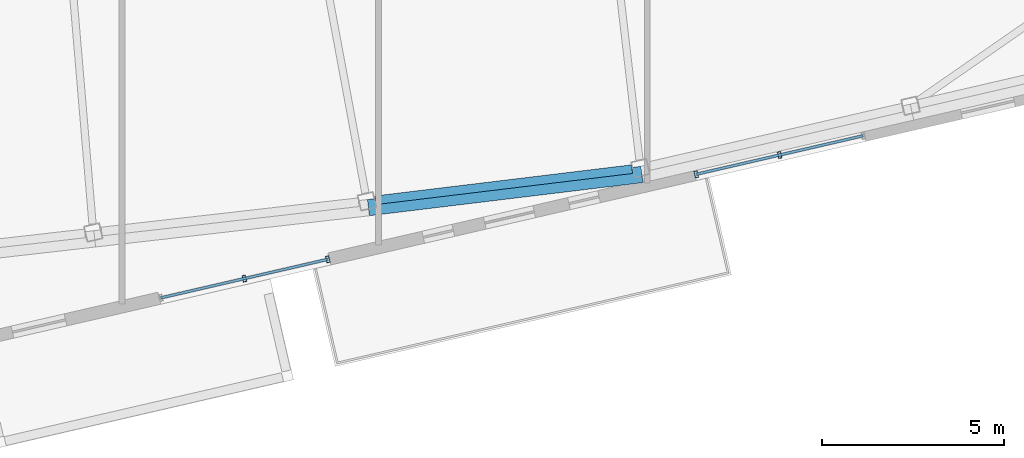
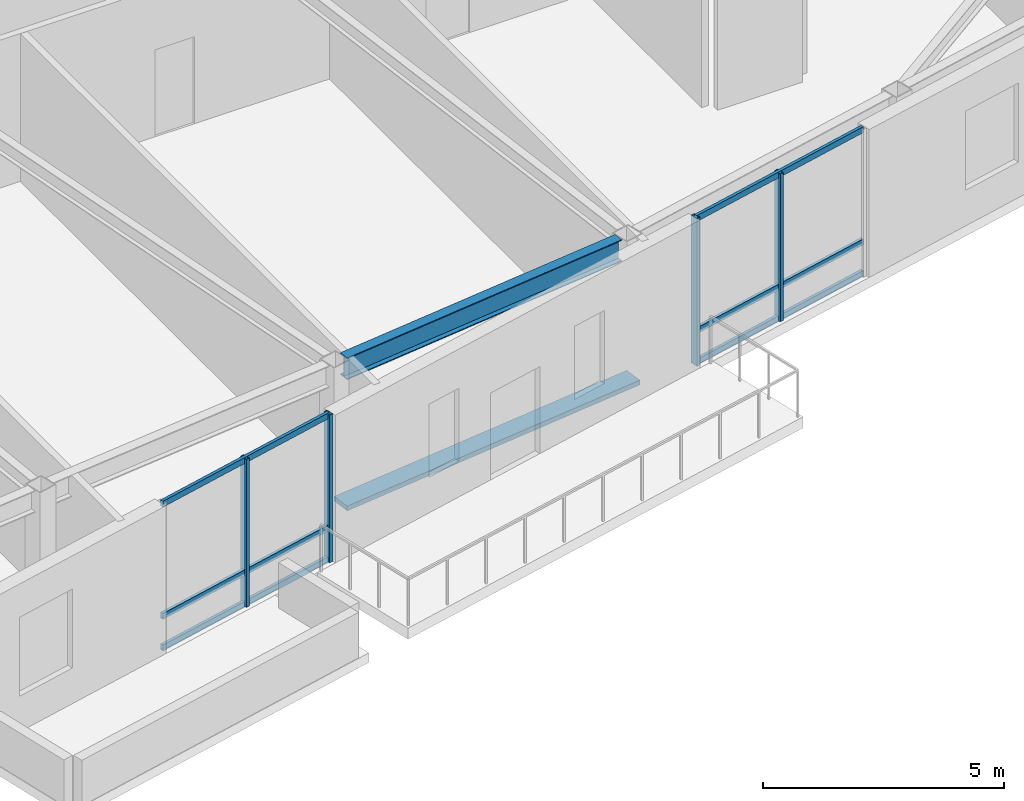
# One storey, part 7 of 23: 11 members, 1 beam, 2 elements without a shape of their own.
"""IFC4 building model written with IfcOpenShell, lengths in metres."""

from ifc_helpers import new_model, si_unit, direction, frame, origin, origin_2d, place, context, subcontext, project, spatial, rectangle, hollow_rectangle, i_section, extrude, material, layer, layer_set, material_profile, profile_set, type_object, element, aggregate, save


model = new_model("IFC4")

# Units and contexts
model_context = context("Model", 3, precision=1e-05, world=origin(), true_north=direction((0.0, 1.0)))
body_context = subcontext(model_context, "Body", "Model", "MODEL_VIEW")
ifc_project = project(units=[si_unit("LENGTHUNIT", "METRE"), si_unit("AREAUNIT", "SQUARE_METRE"), si_unit("VOLUMEUNIT", "CUBIC_METRE"), si_unit("PLANEANGLEUNIT", "RADIAN"), si_unit("MASSUNIT", "GRAM", prefix="KILO")], contexts=[model_context])

# Site, building, storey
site_placement = place(None, origin())
site = spatial("IfcSite", under=ifc_project, at=site_placement, CompositionType="ELEMENT")
building_placement = place(site_placement, origin())
building = spatial("IfcBuilding", under=site, at=building_placement, Name="Tavrogorsk Clinical Tower", CompositionType="ELEMENT")
storey_placement = place(building_placement, frame((0.0, 0.0, 289.0)))
storey = spatial("IfcBuildingStorey", under=building, at=storey_placement, Name="L67", CompositionType="ELEMENT", Elevation=289.0)

# Member
ifc_material_1 = material(Name="Anodised aluminium alloy AW-6063", Category="aluminium")
ifc_material_profile_1 = material_profile(ifc_material_1, rectangle(XDim=0.449951171875, YDim=0.1201171875, at=origin_2d()), Name="ALU-SUNSHADE-450x120")
ifc_profile_set_1 = profile_set([ifc_material_profile_1], Name="Anodised aluminium alloy AW-6063")
member_type_1 = type_object("IfcMemberType", Name="ChicagoSunshade_450x120", PredefinedType="USERDEFINED", material=ifc_profile_set_1)
member_1_placement = place(storey_placement, frame((-1.217041015625, -23.485107421875, 0.179931640625), z_axis=(0.992736345015, 0.120310221037, 0.0), x_axis=(-0.120310221037, 0.992736345015, 0.0)))
element("IfcMember", 1, at=member_1_placement, inside=storey, type_object=member_type_1, Name="L67 South Aluminium Sunshade S4", ObjectType="SUNSHADE", PredefinedType="USERDEFINED", context=body_context, shape_type="SweptSolid", body=[
    extrude(rectangle(XDim=0.449951171875, YDim=0.1201171875, at=origin_2d()), origin(), (0.0, 0.0, 1.0), 7.58544921875),
])

# Curtain wall, members
ifc_material_2 = material(Name="Anodised aluminium and triple IGU glazing", Category="aluminium")
ifc_layer = layer(ifc_material_2, 0.179931640625)
ifc_layer_set = layer_set([ifc_layer], Name="Anodised aluminium and triple IGU glazing")
curtain_wall_type = type_object("IfcCurtainWallType", Name="CW3_SouthSlot", PredefinedType="NOTDEFINED", material=ifc_layer_set)
curtain_wall_1_placement = place(storey_placement, origin())
curtain_wall_1 = element("IfcCurtainWall", 2, at=curtain_wall_1_placement, inside=storey, type_object=curtain_wall_type, Name="L67 Curtain Wall CW-L67-S-SLOT-1", PredefinedType="NOTDEFINED")
ifc_material_3 = material(Name="Anodised aluminium alloy AW-6060", Category="aluminium")
ifc_material_profile_2 = material_profile(ifc_material_3, hollow_rectangle(XDim=0.090087890625, YDim=0.179931640625, WallThickness=0.00634765625, at=origin_2d()), Name="RHS-180x90x6.3")
ifc_profile_set_2 = profile_set([ifc_material_profile_2], Name="Anodised aluminium alloy AW-6060")
member_type_2 = type_object("IfcMemberType", Name="CwMullion_180x90", PredefinedType="MULLION", material=ifc_profile_set_2)
member_2_placement = place(storey_placement, frame((-4.633544921875, -25.438232421875, 0.0), z_axis=(0.0, 0.0, 1.0), x_axis=(0.974370057377, 0.224951086434, 0.0)))
member_2 = element("IfcMember", 3, at=member_2_placement, type_object=member_type_2, Name="CW-L67-S-SLOT-1 Mullion 2", PredefinedType="MULLION", context=body_context, shape_type="SweptSolid", body=[
    extrude(hollow_rectangle(XDim=0.090087890625, YDim=0.179931640625, WallThickness=0.00634765625, at=origin_2d()), origin(), (0.0, 0.0, 1.0), 3.739990234375),
])
member_3_placement = place(storey_placement, frame((-2.3349609375, -24.90771484375, 0.0), z_axis=(0.0, 0.0, 1.0), x_axis=(0.974370057377, 0.224951086434, 0.0)))
member_3 = element("IfcMember", 4, at=member_3_placement, type_object=member_type_2, Name="CW-L67-S-SLOT-1 Mullion 3", PredefinedType="MULLION", context=body_context, shape_type="SweptSolid", body=[
    extrude(hollow_rectangle(XDim=0.090087890625, YDim=0.179931640625, WallThickness=0.00634765625, at=origin_2d()), origin(), (0.0, 0.0, 1.0), 3.739990234375),
])

curtain_wall_2_placement = place(storey_placement, origin())
curtain_wall_2 = element("IfcCurtainWall", 5, at=curtain_wall_2_placement, inside=storey, type_object=curtain_wall_type, Name="L67 Curtain Wall CW-L67-S-SLOT-2", PredefinedType="NOTDEFINED")
member_4_placement = place(storey_placement, frame((7.80810546875, -22.56591796875, 0.0), z_axis=(0.0, 0.0, 1.0), x_axis=(0.974370057377, 0.224951086434, 0.0)))
member_4 = element("IfcMember", 6, at=member_4_placement, type_object=member_type_2, Name="CW-L67-S-SLOT-2 Mullion 1", PredefinedType="MULLION", context=body_context, shape_type="SweptSolid", body=[
    extrude(hollow_rectangle(XDim=0.090087890625, YDim=0.179931640625, WallThickness=0.00634765625, at=origin_2d()), origin(), (0.0, 0.0, 1.0), 3.739990234375),
])
member_5_placement = place(storey_placement, frame((10.106689453125, -22.03515625, 0.0), z_axis=(0.0, 0.0, 1.0), x_axis=(0.974370057377, 0.224951086434, 0.0)))
member_5 = element("IfcMember", 7, at=member_5_placement, type_object=member_type_2, Name="CW-L67-S-SLOT-2 Mullion 2", PredefinedType="MULLION", context=body_context, shape_type="SweptSolid", body=[
    extrude(hollow_rectangle(XDim=0.090087890625, YDim=0.179931640625, WallThickness=0.00634765625, at=origin_2d()), origin(), (0.0, 0.0, 1.0), 3.739990234375),
])

# Member
ifc_material_4 = material(Name="Anodised aluminium alloy AW-6060", Category="aluminium")
ifc_material_profile_3 = material_profile(ifc_material_4, hollow_rectangle(XDim=0.074951171875, YDim=0.14990234375, WallThickness=0.0048828125, at=origin_2d()), Name="RHS-150x75x5")
ifc_profile_set_3 = profile_set([ifc_material_profile_3], Name="Anodised aluminium alloy AW-6060")
member_type_3 = type_object("IfcMemberType", Name="CwTransom_150x75", PredefinedType="USERDEFINED", material=ifc_profile_set_3)
member_6_placement = place(storey_placement, frame((-6.93212890625, -25.968994140625, 0.050048828125), z_axis=(0.974372877948, 0.22493886885, 0.0), x_axis=(-0.22493886885, 0.974372877948, 0.0)))
member_6 = element("IfcMember", 8, at=member_6_placement, type_object=member_type_3, Name="CW-L67-S-SLOT-1 Transom 1", ObjectType="TRANSOM", PredefinedType="USERDEFINED", context=body_context, shape_type="SweptSolid", body=[
    extrude(hollow_rectangle(XDim=0.074951171875, YDim=0.14990234375, WallThickness=0.0048828125, at=origin_2d()), origin(), (0.0, 0.0, 1.0), 4.718017578125),
])

member_7_placement = place(storey_placement, frame((-6.93212890625, -25.968994140625, 0.85009765625), z_axis=(0.974372877948, 0.22493886885, 0.0), x_axis=(-0.22493886885, 0.974372877948, 0.0)))
member_7 = element("IfcMember", 9, at=member_7_placement, type_object=member_type_3, Name="CW-L67-S-SLOT-1 Transom 2", ObjectType="TRANSOM", PredefinedType="USERDEFINED", context=body_context, shape_type="SweptSolid", body=[
    extrude(hollow_rectangle(XDim=0.074951171875, YDim=0.14990234375, WallThickness=0.0048828125, at=origin_2d()), origin(), (0.0, 0.0, 1.0), 4.718017578125),
])

member_8_placement = place(storey_placement, frame((-6.93212890625, -25.968994140625, 3.68994140625), z_axis=(0.974372877948, 0.22493886885, 0.0), x_axis=(-0.22493886885, 0.974372877948, 0.0)))
member_8 = element("IfcMember", 10, at=member_8_placement, type_object=member_type_3, Name="CW-L67-S-SLOT-1 Transom 3", ObjectType="TRANSOM", PredefinedType="USERDEFINED", context=body_context, shape_type="SweptSolid", body=[
    extrude(hollow_rectangle(XDim=0.074951171875, YDim=0.14990234375, WallThickness=0.0048828125, at=origin_2d()), origin(), (0.0, 0.0, 1.0), 4.718017578125),
])

aggregate(curtain_wall_1, [member_2, member_3, member_6, member_7, member_8])

member_9_placement = place(storey_placement, frame((7.80810546875, -22.56591796875, 0.050048828125), z_axis=(0.974372877948, 0.22493886885, 0.0), x_axis=(-0.22493886885, 0.974372877948, 0.0)))
member_9 = element("IfcMember", 11, at=member_9_placement, type_object=member_type_3, Name="CW-L67-S-SLOT-2 Transom 1", ObjectType="TRANSOM", PredefinedType="USERDEFINED", context=body_context, shape_type="SweptSolid", body=[
    extrude(hollow_rectangle(XDim=0.074951171875, YDim=0.14990234375, WallThickness=0.0048828125, at=origin_2d()), origin(), (0.0, 0.0, 1.0), 4.718017578125),
])

member_10_placement = place(storey_placement, frame((7.80810546875, -22.56591796875, 0.85009765625), z_axis=(0.974372877948, 0.22493886885, 0.0), x_axis=(-0.22493886885, 0.974372877948, 0.0)))
member_10 = element("IfcMember", 12, at=member_10_placement, type_object=member_type_3, Name="CW-L67-S-SLOT-2 Transom 2", ObjectType="TRANSOM", PredefinedType="USERDEFINED", context=body_context, shape_type="SweptSolid", body=[
    extrude(hollow_rectangle(XDim=0.074951171875, YDim=0.14990234375, WallThickness=0.0048828125, at=origin_2d()), origin(), (0.0, 0.0, 1.0), 4.718017578125),
])

member_11_placement = place(storey_placement, frame((7.80810546875, -22.56591796875, 3.68994140625), z_axis=(0.974372877948, 0.22493886885, 0.0), x_axis=(-0.22493886885, 0.974372877948, 0.0)))
member_11 = element("IfcMember", 13, at=member_11_placement, type_object=member_type_3, Name="CW-L67-S-SLOT-2 Transom 3", ObjectType="TRANSOM", PredefinedType="USERDEFINED", context=body_context, shape_type="SweptSolid", body=[
    extrude(hollow_rectangle(XDim=0.074951171875, YDim=0.14990234375, WallThickness=0.0048828125, at=origin_2d()), origin(), (0.0, 0.0, 1.0), 4.718017578125),
])

aggregate(curtain_wall_2, [member_4, member_5, member_9, member_10, member_11])

# Beam
ifc_material_5 = material(Name="Structural steel S390", Category="steel")
ifc_material_profile_4 = material_profile(ifc_material_5, i_section(OverallWidth=0.239990234375, OverallDepth=0.550048828125, WebThickness=0.013916015625, FlangeThickness=0.02197265625, at=origin_2d()), Name="B-550x240x14x22")
ifc_profile_set_4 = profile_set([ifc_material_profile_4], Name="Structural steel S390")
beam_type = type_object("IfcBeamType", Name="SpandrelBeam_B550", PredefinedType="SPANDREL", material=ifc_profile_set_4)
beam_placement = place(storey_placement, frame((-1.026123046875, -23.28173828125, 3.465087890625), z_axis=(0.992733657897, 0.120332391639, 0.0), x_axis=(-0.120332391639, 0.992733657897, 0.0)))
element("IfcBeam", 14, at=beam_placement, inside=storey, type_object=beam_type, Name="L67 Perimeter Spandrel S4-S5", PredefinedType="SPANDREL", context=body_context, shape_type="SweptSolid", body=[
    extrude(i_section(OverallWidth=0.239990234375, OverallDepth=0.550048828125, WebThickness=0.013916015625, FlangeThickness=0.02197265625, at=origin_2d()), origin(), (0.0, 0.0, 1.0), 7.119384765625),
])

save(model, "model.ifc")
